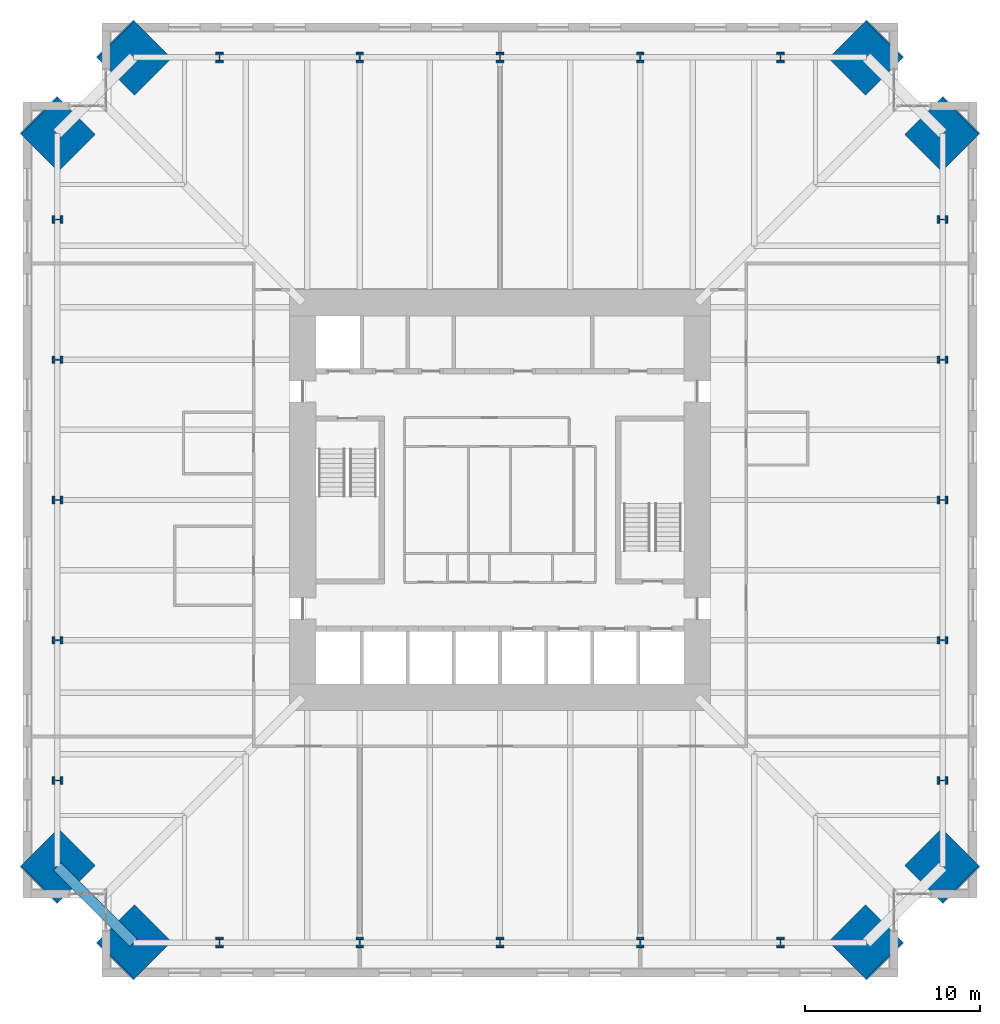
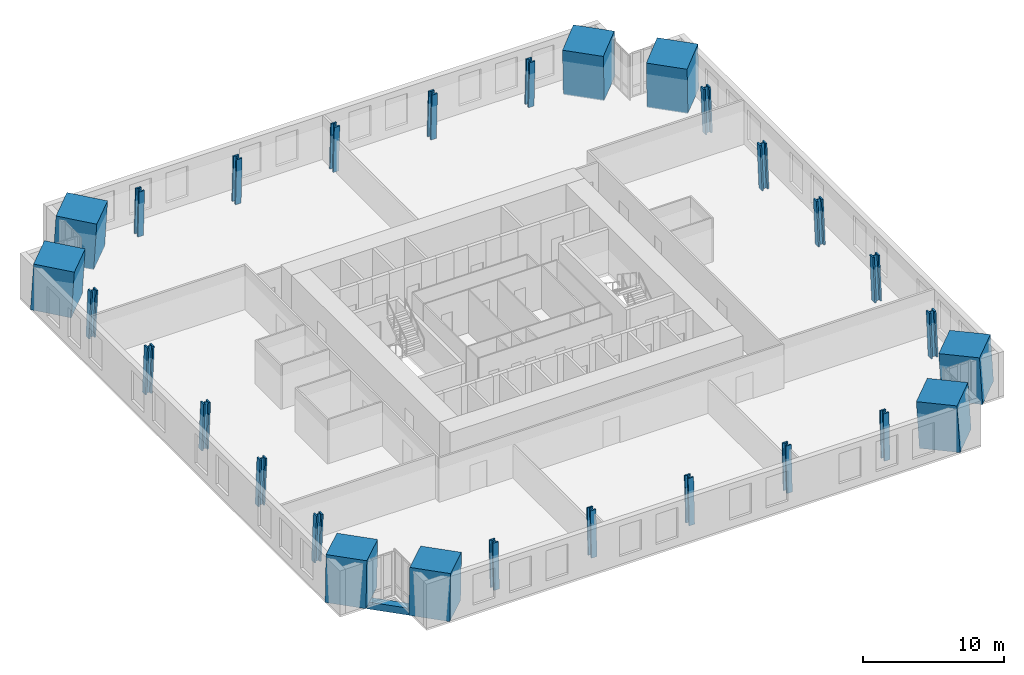
# One storey, part 1 of 16: 28 columns, 1 beam.
"""IFC4 building model written with IfcOpenShell, lengths in metres."""

from ifc_helpers import new_model, si_unit, direction, frame, origin, origin_2d, place, context, subcontext, project, spatial, rectangle, hollow_rectangle, i_section, extrude, material, material_profile, profile_set, type_object, element, save


model = new_model("IFC4")

# Units and contexts
model_context = context("Model", 3, precision=1e-05, world=origin(), true_north=direction((0.0, 1.0)))
body_context = subcontext(model_context, "Body", "Model", "MODEL_VIEW")
ifc_project = project(units=[si_unit("LENGTHUNIT", "METRE"), si_unit("AREAUNIT", "SQUARE_METRE"), si_unit("VOLUMEUNIT", "CUBIC_METRE"), si_unit("PLANEANGLEUNIT", "RADIAN"), si_unit("MASSUNIT", "GRAM", prefix="KILO")], contexts=[model_context])

# Site, building, storey
site_placement = place(None, origin())
site = spatial("IfcSite", under=ifc_project, at=site_placement, CompositionType="ELEMENT")
building_placement = place(site_placement, origin())
building = spatial("IfcBuilding", under=site, at=building_placement, Name="Peilmerk Tower", CompositionType="ELEMENT")
storey_placement = place(building_placement, frame((0.0, 0.0, 139.800048828125)))
storey = spatial("IfcBuildingStorey", under=building, at=storey_placement, Name="L28", CompositionType="ELEMENT", Elevation=139.800048828125)

# Columns
ifc_material_1 = material(Name="Concrete C90/105", Category="concrete")
ifc_material_profile_1 = material_profile(ifc_material_1, rectangle(XDim=3.0, YDim=3.0, at=origin_2d()), Name="RC 3000x3000")
ifc_profile_set_1 = profile_set([ifc_material_profile_1], Name="Concrete C90/105")
column_type_1 = type_object("IfcColumnType", Name="MC2 3000x3000 encased mega column", PredefinedType="COLUMN", material=ifc_profile_set_1)
for number, where, z_axis, x_axis, name in (
    (1, (20.90966796875, 25.259765625, 0.0), (-0.040278731567, -0.040278731567, 0.998376305592), (0.707106781187, -0.707106781187, 0.0), "Mega column MC2 NE_N L28"),
    (2, (25.259765625, 20.90966796875, 0.0), (-0.040278731567, -0.040278731567, 0.998376305592), (0.707106781187, -0.707106781187, 0.0), "Mega column MC2 NE_E L28"),
    (3, (25.259765625, -20.90966796875, 0.0), (-0.040278731567, 0.040278731567, 0.998376305592), (-0.707106781187, -0.707106781187, 0.0), "Mega column MC2 SE_E L28"),
    (4, (20.90966796875, -25.259765625, 0.0), (-0.040278731567, 0.040278731567, 0.998376305592), (-0.707106781187, -0.707106781187, 0.0), "Mega column MC2 SE_S L28"),
    (5, (-20.90966796875, -25.259765625, 0.0), (0.040278731567, 0.040278731567, 0.998376305592), (-0.707106781187, 0.707106781187, 0.0), "Mega column MC2 SW_S L28"),
    (6, (-25.259765625, -20.90966796875, 0.0), (0.040278731567, 0.040278731567, 0.998376305592), (-0.707106781187, 0.707106781187, 0.0), "Mega column MC2 SW_W L28"),
    (7, (-25.259765625, 20.90966796875, 0.0), (0.040278731567, -0.040278731567, 0.998376305592), (0.707106781187, 0.707106781187, 0.0), "Mega column MC2 NW_W L28"),
    (8, (-20.90966796875, 25.259765625, 0.0), (0.040278731567, -0.040278731567, 0.998376305592), (0.707106781187, 0.707106781187, 0.0), "Mega column MC2 NW_N L28"),
):
    element("IfcColumn", number, at=place(storey_placement, frame(where, z_axis=z_axis, x_axis=x_axis)), inside=storey, type_object=column_type_1, Name=name, PredefinedType="COLUMN", context=body_context, shape_type="SweptSolid", body=[
        extrude(rectangle(XDim=3.0, YDim=3.0, at=origin_2d()), origin(), (0.0, 0.0, 1.0), 4.006591796875),
    ])
ifc_material_2 = material(Name="Steel S460", Category="steel")
ifc_material_profile_2 = material_profile(ifc_material_2, i_section(OverallWidth=0.4541015625, OverallDepth=0.569091796875, WebThickness=0.077880859375, FlangeThickness=0.125, at=origin_2d()), Name="HD 400x1086")
ifc_profile_set_2 = profile_set([ifc_material_profile_2], Name="Steel S460")
column_type_2 = type_object("IfcColumnType", Name="SC6 HD 400x1086 interior column", PredefinedType="COLUMN", material=ifc_profile_set_2)
for number, where, z_axis, x_axis, name in (
    (9, (0.0, 25.259765625, 0.0), (0.0, -0.040311445006, 0.999187163349), (1.0, 0.0, 0.0), "Perimeter column N+0 L28"),
    (10, (8.0, 25.259765625, 0.0), (0.0, -0.040311445006, 0.999187163349), (1.0, 0.0, 0.0), "Perimeter column N-8 L28"),
    (11, (-8.0, 25.259765625, 0.0), (0.0, -0.040311445006, 0.999187163349), (1.0, 0.0, 0.0), "Perimeter column N+8 L28"),
    (12, (16.0, 25.259765625, 0.0), (0.0, -0.040311445006, 0.999187163349), (1.0, 0.0, 0.0), "Perimeter column N-16 L28"),
    (13, (-16.0, 25.259765625, 0.0), (0.0, -0.040311445006, 0.999187163349), (1.0, 0.0, 0.0), "Perimeter column N+16 L28"),
    (14, (25.259765625, 0.0, 0.0), (-0.040311445006, 0.0, 0.999187163349), (0.0, -1.0, 0.0), "Perimeter column E+0 L28"),
    (15, (25.259765625, -8.0, 0.0), (-0.040311445006, 0.0, 0.999187163349), (0.0, -1.0, 0.0), "Perimeter column E-8 L28"),
    (16, (25.259765625, 8.0, 0.0), (-0.040311445006, 0.0, 0.999187163349), (0.0, -1.0, 0.0), "Perimeter column E+8 L28"),
    (17, (25.259765625, -16.0, 0.0), (-0.040311445006, 0.0, 0.999187163349), (0.0, -1.0, 0.0), "Perimeter column E-16 L28"),
    (18, (25.259765625, 16.0, 0.0), (-0.040311445006, 0.0, 0.999187163349), (0.0, -1.0, 0.0), "Perimeter column E+16 L28"),
    (19, (0.0, -25.259765625, 0.0), (0.0, 0.040311445006, 0.999187163349), (-1.0, 0.0, 0.0), "Perimeter column S+0 L28"),
    (20, (-8.0, -25.259765625, 0.0), (0.0, 0.040311445006, 0.999187163349), (-1.0, 0.0, 0.0), "Perimeter column S-8 L28"),
    (21, (8.0, -25.259765625, 0.0), (0.0, 0.040311445006, 0.999187163349), (-1.0, 0.0, 0.0), "Perimeter column S+8 L28"),
    (22, (-16.0, -25.259765625, 0.0), (0.0, 0.040311445006, 0.999187163349), (-1.0, 0.0, 0.0), "Perimeter column S-16 L28"),
    (23, (16.0, -25.259765625, 0.0), (0.0, 0.040311445006, 0.999187163349), (-1.0, 0.0, 0.0), "Perimeter column S+16 L28"),
    (24, (-25.259765625, 0.0, 0.0), (0.040311445006, 0.0, 0.999187163349), (0.0, 1.0, 0.0), "Perimeter column W+0 L28"),
    (25, (-25.259765625, 8.0, 0.0), (0.040311445006, 0.0, 0.999187163349), (0.0, 1.0, 0.0), "Perimeter column W-8 L28"),
    (26, (-25.259765625, -8.0, 0.0), (0.040311445006, 0.0, 0.999187163349), (0.0, 1.0, 0.0), "Perimeter column W+8 L28"),
    (27, (-25.259765625, 16.0, 0.0), (0.040311445006, 0.0, 0.999187163349), (0.0, 1.0, 0.0), "Perimeter column W-16 L28"),
    (28, (-25.259765625, -16.0, 0.0), (0.040311445006, 0.0, 0.999187163349), (0.0, 1.0, 0.0), "Perimeter column W+16 L28"),
):
    element("IfcColumn", number, at=place(storey_placement, frame(where, z_axis=z_axis, x_axis=x_axis)), inside=storey, type_object=column_type_2, Name=name, PredefinedType="COLUMN", context=body_context, shape_type="SweptSolid", body=[
        extrude(i_section(OverallWidth=0.4541015625, OverallDepth=0.569091796875, WebThickness=0.077880859375, FlangeThickness=0.125, at=origin_2d()), origin(), (0.0, 0.0, 1.0), 4.003173828125),
    ])

# Beam
ifc_material_profile_3 = material_profile(ifc_material_2, hollow_rectangle(XDim=0.60009765625, YDim=0.60009765625, WallThickness=0.06005859375, at=origin_2d()), Name="BOX 600x600x60")
ifc_profile_set_3 = profile_set([ifc_material_profile_3], Name="Steel S460")
beam_type = type_object("IfcBeamType", Name="B20 BOX 600x600x60 notch beam", PredefinedType="SPANDREL", material=ifc_profile_set_3)
beam_placement = place(storey_placement, frame((-20.90966796875, -25.259765625, -0.469970703125), z_axis=(-0.707106781187, 0.707106781187, 0.0), x_axis=(-0.707106781187, -0.707106781187, 0.0)))
element("IfcBeam", 29, at=beam_placement, inside=storey, type_object=beam_type, Name="Notch beam L28", PredefinedType="SPANDREL", context=body_context, shape_type="SweptSolid", body=[
    extrude(hollow_rectangle(XDim=0.60009765625, YDim=0.60009765625, WallThickness=0.06005859375, at=origin_2d()), origin(), (0.0, 0.0, 1.0), 6.15185546875),
])

save(model, "model.ifc")
